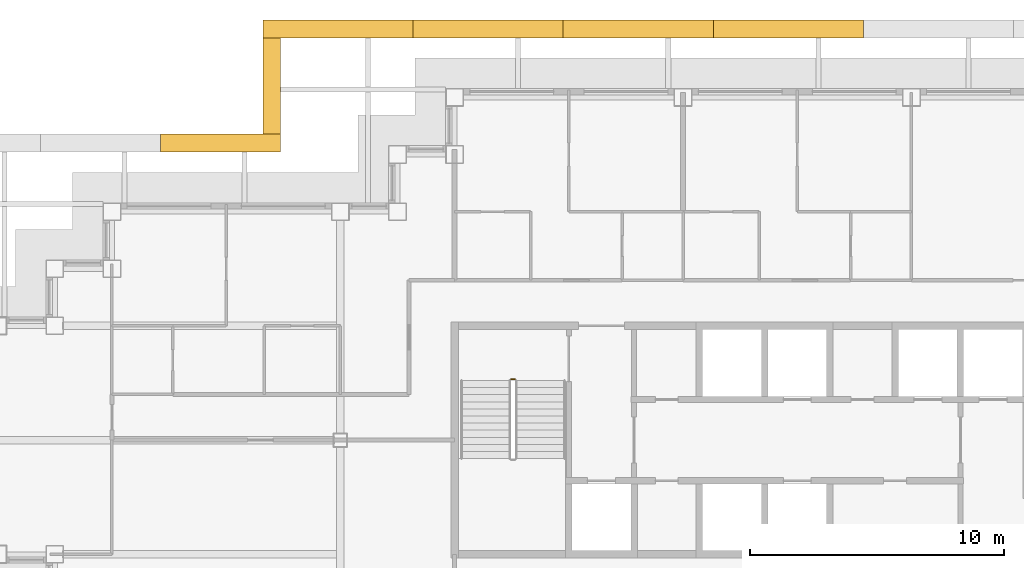
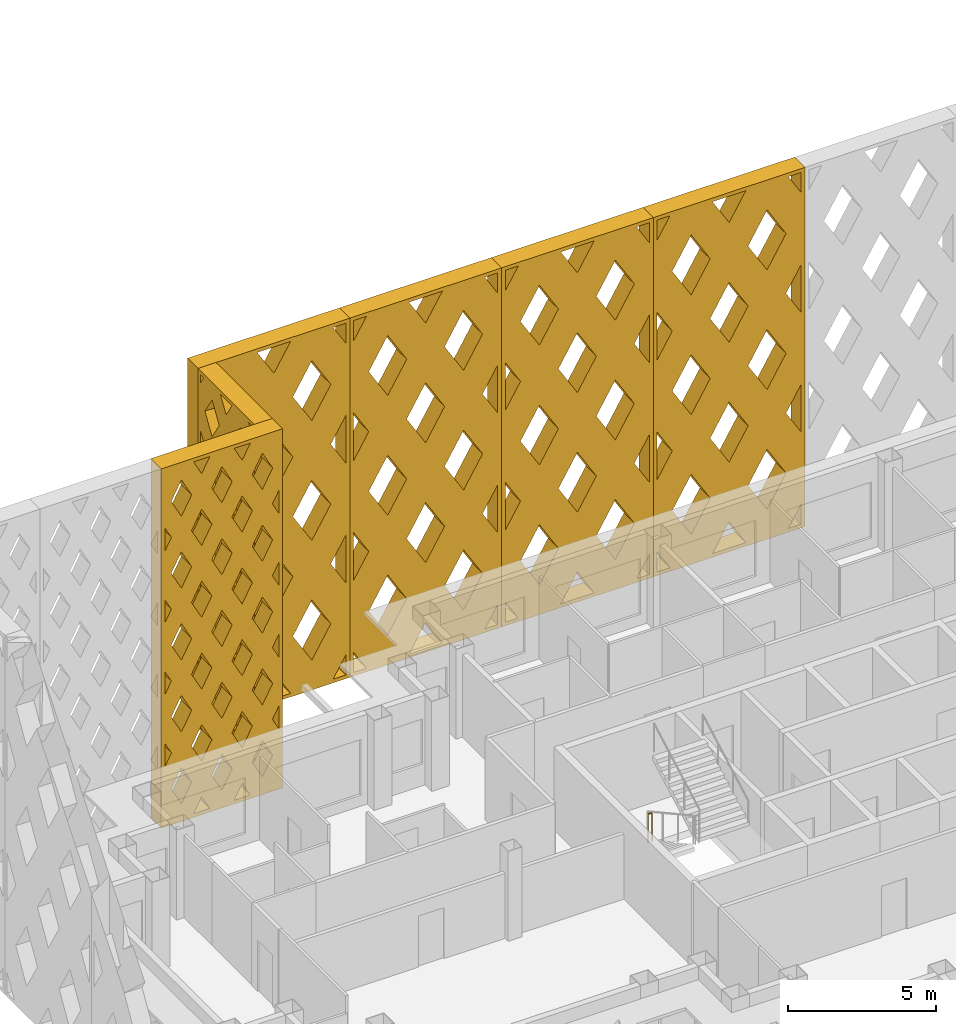
# One storey, part 15 of 16: 6 shading devices, 1 railing.
"""IFC4 building model written with IfcOpenShell, lengths in metres."""

from ifc_helpers import new_model, si_unit, direction, frame, origin, origin_2d, place, context, subcontext, project, spatial, polyline, circle, outline, extrude, material, type_object, element, save


model = new_model("IFC4")

# Units and contexts
model_context = context("Model", 3, precision=1e-05, world=origin(), true_north=direction((0.0, 1.0)))
body_context = subcontext(model_context, "Body", "Model", "MODEL_VIEW")
ifc_project = project(units=[si_unit("LENGTHUNIT", "METRE"), si_unit("AREAUNIT", "SQUARE_METRE"), si_unit("VOLUMEUNIT", "CUBIC_METRE"), si_unit("PLANEANGLEUNIT", "RADIAN"), si_unit("MASSUNIT", "GRAM", prefix="KILO")], contexts=[model_context])

# Site, building, storey
site_placement = place(None, origin())
site = spatial("IfcSite", under=ifc_project, at=site_placement, CompositionType="ELEMENT")
building_placement = place(site_placement, origin())
building = spatial("IfcBuilding", under=site, at=building_placement, Name="Caravel Reach Hotel and Residences", CompositionType="ELEMENT")
storey_placement = place(building_placement, frame((0.0, 0.0, 207.199951171875)))
storey = spatial("IfcBuildingStorey", under=building, at=storey_placement, Name="L52", CompositionType="ELEMENT", Elevation=207.199951171875)

# Shading devices
ifc_material_1 = material(Name="Black powder-coated aluminium", Category="aluminium")
shading_device_type_1 = type_object("IfcShadingDeviceType", Name="Diamond lattice screen panel 3800 x 14800", PredefinedType="USERDEFINED", material=ifc_material_1)
shading_device_1_placement = place(storey_placement, frame((11.14990234375, 42.85009765625, 0.0), z_axis=(-1.0, 0.0, 0.0), x_axis=(0.0, -1.0, 0.0)))
element("IfcShadingDevice", 1, at=shading_device_1_placement, inside=storey, type_object=shading_device_type_1, Name="Lattice screen L52-L55 5.1", ObjectType="SCREEN", PredefinedType="USERDEFINED", context=body_context, shape_type="SweptSolid", body=[
    extrude(outline(polyline([(0.0, 0.0), (3.800048828125, 0.0), (3.800048828125, 14.800048828125), (0.0, 14.800048828125), (0.0, 0.0)]), holes=[polyline([(0.389892578125, 0.14990234375), (0.14990234375, 0.523681640625), (0.14990234375, 0.14990234375), (0.389892578125, 0.14990234375)]), polyline([(0.486083984375, 2.9599609375), (0.14990234375, 3.483642578125), (0.14990234375, 2.436279296875), (0.486083984375, 2.9599609375)]), polyline([(0.486083984375, 5.919921875), (0.14990234375, 6.44384765625), (0.14990234375, 5.396240234375), (0.486083984375, 5.919921875)]), polyline([(0.486083984375, 8.8798828125), (0.14990234375, 9.40380859375), (0.14990234375, 8.356201171875), (0.486083984375, 8.8798828125)]), polyline([(0.486083984375, 11.840087890625), (0.14990234375, 12.36376953125), (0.14990234375, 11.316162109375), (0.486083984375, 11.840087890625)]), polyline([(0.14990234375, 14.2763671875), (0.389892578125, 14.64990234375), (0.14990234375, 14.64990234375), (0.14990234375, 14.2763671875)]), polyline([(0.949951171875, 2.237548828125), (0.4638671875, 1.47998046875), (0.949951171875, 0.72265625), (1.436279296875, 1.47998046875), (0.949951171875, 2.237548828125)]), polyline([(0.949951171875, 5.197509765625), (0.4638671875, 4.43994140625), (0.949951171875, 3.6826171875), (1.436279296875, 4.43994140625), (0.949951171875, 5.197509765625)]), polyline([(0.949951171875, 8.157470703125), (0.4638671875, 7.39990234375), (0.949951171875, 6.642578125), (1.436279296875, 7.39990234375), (0.949951171875, 8.157470703125)]), polyline([(0.949951171875, 11.117431640625), (0.4638671875, 10.360107421875), (0.949951171875, 9.6025390625), (1.436279296875, 10.360107421875), (0.949951171875, 11.117431640625)]), polyline([(0.949951171875, 14.077392578125), (0.4638671875, 13.320068359375), (0.949951171875, 12.5625), (1.436279296875, 13.320068359375), (0.949951171875, 14.077392578125)]), polyline([(1.89990234375, 0.75732421875), (1.510009765625, 0.14990234375), (2.289794921875, 0.14990234375), (1.89990234375, 0.75732421875)]), polyline([(1.89990234375, 3.717529296875), (1.413818359375, 2.9599609375), (1.89990234375, 2.20263671875), (2.38623046875, 2.9599609375), (1.89990234375, 3.717529296875)]), polyline([(1.89990234375, 6.677490234375), (1.413818359375, 5.919921875), (1.89990234375, 5.16259765625), (2.38623046875, 5.919921875), (1.89990234375, 6.677490234375)]), polyline([(1.89990234375, 9.637451171875), (1.413818359375, 8.8798828125), (1.89990234375, 8.12255859375), (2.38623046875, 8.8798828125), (1.89990234375, 9.637451171875)]), polyline([(1.89990234375, 12.597412109375), (1.413818359375, 11.840087890625), (1.89990234375, 11.08251953125), (2.38623046875, 11.840087890625), (1.89990234375, 12.597412109375)]), polyline([(1.89990234375, 14.04248046875), (2.289794921875, 14.64990234375), (1.510009765625, 14.64990234375), (1.89990234375, 14.04248046875)]), polyline([(2.85009765625, 2.237548828125), (2.36376953125, 1.47998046875), (2.85009765625, 0.72265625), (3.336181640625, 1.47998046875), (2.85009765625, 2.237548828125)]), polyline([(2.85009765625, 5.197509765625), (2.36376953125, 4.43994140625), (2.85009765625, 3.6826171875), (3.336181640625, 4.43994140625), (2.85009765625, 5.197509765625)]), polyline([(2.85009765625, 8.157470703125), (2.36376953125, 7.39990234375), (2.85009765625, 6.642578125), (3.336181640625, 7.39990234375), (2.85009765625, 8.157470703125)]), polyline([(2.85009765625, 11.117431640625), (2.36376953125, 10.360107421875), (2.85009765625, 9.6025390625), (3.336181640625, 10.360107421875), (2.85009765625, 11.117431640625)]), polyline([(2.85009765625, 14.077392578125), (2.36376953125, 13.320068359375), (2.85009765625, 12.5625), (3.336181640625, 13.320068359375), (2.85009765625, 14.077392578125)]), polyline([(3.64990234375, 0.523681640625), (3.41015625, 0.14990234375), (3.64990234375, 0.14990234375), (3.64990234375, 0.523681640625)]), polyline([(3.313720703125, 2.9599609375), (3.64990234375, 2.436279296875), (3.64990234375, 3.483642578125), (3.313720703125, 2.9599609375)]), polyline([(3.313720703125, 5.919921875), (3.64990234375, 5.396240234375), (3.64990234375, 6.44384765625), (3.313720703125, 5.919921875)]), polyline([(3.313720703125, 8.8798828125), (3.64990234375, 8.356201171875), (3.64990234375, 9.40380859375), (3.313720703125, 8.8798828125)]), polyline([(3.313720703125, 11.840087890625), (3.64990234375, 11.316162109375), (3.64990234375, 12.36376953125), (3.313720703125, 11.840087890625)]), polyline([(3.41015625, 14.64990234375), (3.64990234375, 14.2763671875), (3.64990234375, 14.64990234375), (3.41015625, 14.64990234375)])]), origin(), (0.0, 0.0, 1.0), 0.699951171875),
])
ifc_material_2 = material(Name="Black powder-coated aluminium", Category="aluminium")
shading_device_type_2 = type_object("IfcShadingDeviceType", Name="Diamond lattice screen panel 4733 x 14800", PredefinedType="USERDEFINED", material=ifc_material_2)
shading_device_2_placement = place(storey_placement, frame((11.14990234375, 38.35009765625, 0.0), z_axis=(0.0, 1.0, 0.0), x_axis=(-1.0, 0.0, 0.0)))
element("IfcShadingDevice", 2, at=shading_device_2_placement, inside=storey, type_object=shading_device_type_2, Name="Lattice screen L52-L55 6.1", ObjectType="SCREEN", PredefinedType="USERDEFINED", context=body_context, shape_type="SweptSolid", body=[
    extrude(outline(polyline([(0.0, 0.0), (4.7333984375, 0.0), (4.7333984375, 14.800048828125), (0.0, 14.800048828125), (0.0, 0.0)]), holes=[polyline([(0.398681640625, 2.9599609375), (0.14990234375, 3.4267578125), (0.14990234375, 2.493408203125), (0.398681640625, 2.9599609375)]), polyline([(0.398681640625, 5.919921875), (0.14990234375, 6.38671875), (0.14990234375, 5.453369140625), (0.398681640625, 5.919921875)]), polyline([(0.398681640625, 8.8798828125), (0.14990234375, 9.3466796875), (0.14990234375, 8.413330078125), (0.398681640625, 8.8798828125)]), polyline([(0.398681640625, 11.840087890625), (0.14990234375, 12.306640625), (0.14990234375, 11.373291015625), (0.398681640625, 11.840087890625)]), polyline([(0.788818359375, 2.22802734375), (0.39013671875, 1.47998046875), (0.788818359375, 0.73193359375), (1.187744140625, 1.47998046875), (0.788818359375, 2.22802734375)]), polyline([(0.788818359375, 5.18798828125), (0.39013671875, 4.43994140625), (0.788818359375, 3.69189453125), (1.187744140625, 4.43994140625), (0.788818359375, 5.18798828125)]), polyline([(0.788818359375, 8.14794921875), (0.39013671875, 7.39990234375), (0.788818359375, 6.65185546875), (1.187744140625, 7.39990234375), (0.788818359375, 8.14794921875)]), polyline([(0.788818359375, 11.108154296875), (0.39013671875, 10.360107421875), (0.788818359375, 9.612060546875), (1.187744140625, 10.360107421875), (0.788818359375, 11.108154296875)]), polyline([(0.788818359375, 14.068115234375), (0.39013671875, 13.320068359375), (0.788818359375, 12.572021484375), (1.187744140625, 13.320068359375), (0.788818359375, 14.068115234375)]), polyline([(1.577880859375, 0.748046875), (1.259033203125, 0.14990234375), (1.896484375, 0.14990234375), (1.577880859375, 0.748046875)]), polyline([(1.577880859375, 3.7080078125), (1.178955078125, 2.9599609375), (1.577880859375, 2.2119140625), (1.9765625, 2.9599609375), (1.577880859375, 3.7080078125)]), polyline([(1.577880859375, 6.66796875), (1.178955078125, 5.919921875), (1.577880859375, 5.171875), (1.9765625, 5.919921875), (1.577880859375, 6.66796875)]), polyline([(1.577880859375, 9.6279296875), (1.178955078125, 8.8798828125), (1.577880859375, 8.1318359375), (1.9765625, 8.8798828125), (1.577880859375, 9.6279296875)]), polyline([(1.577880859375, 12.588134765625), (1.178955078125, 11.840087890625), (1.577880859375, 11.092041015625), (1.9765625, 11.840087890625), (1.577880859375, 12.588134765625)]), polyline([(1.577880859375, 14.052001953125), (1.896484375, 14.64990234375), (1.259033203125, 14.64990234375), (1.577880859375, 14.052001953125)]), polyline([(2.36669921875, 2.22802734375), (1.968017578125, 1.47998046875), (2.36669921875, 0.73193359375), (2.765380859375, 1.47998046875), (2.36669921875, 2.22802734375)]), polyline([(2.36669921875, 5.18798828125), (1.968017578125, 4.43994140625), (2.36669921875, 3.69189453125), (2.765380859375, 4.43994140625), (2.36669921875, 5.18798828125)]), polyline([(2.36669921875, 8.14794921875), (1.968017578125, 7.39990234375), (2.36669921875, 6.65185546875), (2.765380859375, 7.39990234375), (2.36669921875, 8.14794921875)]), polyline([(2.36669921875, 11.108154296875), (1.968017578125, 10.360107421875), (2.36669921875, 9.612060546875), (2.765380859375, 10.360107421875), (2.36669921875, 11.108154296875)]), polyline([(2.36669921875, 14.068115234375), (1.968017578125, 13.320068359375), (2.36669921875, 12.572021484375), (2.765380859375, 13.320068359375), (2.36669921875, 14.068115234375)]), polyline([(3.155517578125, 0.748046875), (2.836669921875, 0.14990234375), (3.474365234375, 0.14990234375), (3.155517578125, 0.748046875)]), polyline([(3.155517578125, 3.7080078125), (2.7568359375, 2.9599609375), (3.155517578125, 2.2119140625), (3.55419921875, 2.9599609375), (3.155517578125, 3.7080078125)]), polyline([(3.155517578125, 6.66796875), (2.7568359375, 5.919921875), (3.155517578125, 5.171875), (3.55419921875, 5.919921875), (3.155517578125, 6.66796875)]), polyline([(3.155517578125, 9.6279296875), (2.7568359375, 8.8798828125), (3.155517578125, 8.1318359375), (3.55419921875, 8.8798828125), (3.155517578125, 9.6279296875)]), polyline([(3.155517578125, 12.588134765625), (2.7568359375, 11.840087890625), (3.155517578125, 11.092041015625), (3.55419921875, 11.840087890625), (3.155517578125, 12.588134765625)]), polyline([(3.155517578125, 14.052001953125), (3.474365234375, 14.64990234375), (2.836669921875, 14.64990234375), (3.155517578125, 14.052001953125)]), polyline([(3.9443359375, 2.22802734375), (3.545654296875, 1.47998046875), (3.9443359375, 0.73193359375), (4.34326171875, 1.47998046875), (3.9443359375, 2.22802734375)]), polyline([(3.9443359375, 5.18798828125), (3.545654296875, 4.43994140625), (3.9443359375, 3.69189453125), (4.34326171875, 4.43994140625), (3.9443359375, 5.18798828125)]), polyline([(3.9443359375, 8.14794921875), (3.545654296875, 7.39990234375), (3.9443359375, 6.65185546875), (4.34326171875, 7.39990234375), (3.9443359375, 8.14794921875)]), polyline([(3.9443359375, 11.108154296875), (3.545654296875, 10.360107421875), (3.9443359375, 9.612060546875), (4.34326171875, 10.360107421875), (3.9443359375, 11.108154296875)]), polyline([(3.9443359375, 14.068115234375), (3.545654296875, 13.320068359375), (3.9443359375, 12.572021484375), (4.34326171875, 13.320068359375), (3.9443359375, 14.068115234375)]), polyline([(4.334716796875, 2.9599609375), (4.583251953125, 2.493408203125), (4.583251953125, 3.4267578125), (4.334716796875, 2.9599609375)]), polyline([(4.334716796875, 5.919921875), (4.583251953125, 5.453369140625), (4.583251953125, 6.38671875), (4.334716796875, 5.919921875)]), polyline([(4.334716796875, 8.8798828125), (4.583251953125, 8.413330078125), (4.583251953125, 9.3466796875), (4.334716796875, 8.8798828125)]), polyline([(4.334716796875, 11.840087890625), (4.583251953125, 11.373291015625), (4.583251953125, 12.306640625), (4.334716796875, 11.840087890625)])]), origin(), (0.0, 0.0, 1.0), 0.699951171875),
])
ifc_material_3 = material(Name="Black powder-coated aluminium", Category="aluminium")
shading_device_type_3 = type_object("IfcShadingDeviceType", Name="Diamond lattice screen panel 5914 x 14800", PredefinedType="USERDEFINED", material=ifc_material_3)
shading_device_3_placement = place(storey_placement, frame((34.107177734375, 42.85009765625, 0.0), z_axis=(0.0, 1.0, 0.0), x_axis=(-1.0, 0.0, 0.0)))
element("IfcShadingDevice", 3, at=shading_device_3_placement, inside=storey, type_object=shading_device_type_3, Name="Lattice screen L52-L55 4.4", ObjectType="SCREEN", PredefinedType="USERDEFINED", context=body_context, shape_type="SweptSolid", body=[
    extrude(outline(polyline([(0.0, 0.0), (5.914306640625, 0.0), (5.914306640625, 14.800048828125), (0.0, 14.800048828125), (0.0, 0.0)]), holes=[polyline([(0.6513671875, 0.14990234375), (0.14990234375, 0.986572265625), (0.14990234375, 0.14990234375), (0.6513671875, 0.14990234375)]), polyline([(0.7412109375, 4.933349609375), (0.14990234375, 5.919921875), (0.14990234375, 3.94677734375), (0.7412109375, 4.933349609375)]), polyline([(0.7412109375, 9.86669921875), (0.14990234375, 10.853271484375), (0.14990234375, 8.880126953125), (0.7412109375, 9.86669921875)]), polyline([(0.14990234375, 13.8134765625), (0.6513671875, 14.64990234375), (0.14990234375, 14.64990234375), (0.14990234375, 13.8134765625)]), polyline([(1.478515625, 3.703369140625), (0.7373046875, 2.466552734375), (1.478515625, 1.22998046875), (2.219970703125, 2.466552734375), (1.478515625, 3.703369140625)]), polyline([(1.478515625, 8.63671875), (0.7373046875, 7.39990234375), (1.478515625, 6.163330078125), (2.219970703125, 7.39990234375), (1.478515625, 8.63671875)]), polyline([(1.478515625, 13.570068359375), (0.7373046875, 12.333251953125), (1.478515625, 11.0966796875), (2.219970703125, 12.333251953125), (1.478515625, 13.570068359375)]), polyline([(2.95703125, 1.23681640625), (2.3056640625, 0.14990234375), (3.608642578125, 0.14990234375), (2.95703125, 1.23681640625)]), polyline([(2.95703125, 6.170166015625), (2.2158203125, 4.933349609375), (2.95703125, 3.696533203125), (3.698486328125, 4.933349609375), (2.95703125, 6.170166015625)]), polyline([(2.95703125, 11.103515625), (2.2158203125, 9.86669921875), (2.95703125, 8.6298828125), (3.698486328125, 9.86669921875), (2.95703125, 11.103515625)]), polyline([(2.95703125, 13.563232421875), (3.608642578125, 14.64990234375), (2.3056640625, 14.64990234375), (2.95703125, 13.563232421875)]), polyline([(4.435791015625, 3.703369140625), (3.6943359375, 2.466552734375), (4.435791015625, 1.22998046875), (5.177001953125, 2.466552734375), (4.435791015625, 3.703369140625)]), polyline([(4.435791015625, 8.63671875), (3.6943359375, 7.39990234375), (4.435791015625, 6.163330078125), (5.177001953125, 7.39990234375), (4.435791015625, 8.63671875)]), polyline([(4.435791015625, 13.570068359375), (3.6943359375, 12.333251953125), (4.435791015625, 11.0966796875), (5.177001953125, 12.333251953125), (4.435791015625, 13.570068359375)]), polyline([(5.764404296875, 0.986572265625), (5.262939453125, 0.14990234375), (5.764404296875, 0.14990234375), (5.764404296875, 0.986572265625)]), polyline([(5.1728515625, 4.933349609375), (5.764404296875, 3.94677734375), (5.764404296875, 5.919921875), (5.1728515625, 4.933349609375)]), polyline([(5.1728515625, 9.86669921875), (5.764404296875, 8.880126953125), (5.764404296875, 10.853271484375), (5.1728515625, 9.86669921875)]), polyline([(5.262939453125, 14.64990234375), (5.764404296875, 13.8134765625), (5.764404296875, 14.64990234375), (5.262939453125, 14.64990234375)])]), origin(), (0.0, 0.0, 1.0), 0.699951171875),
])
shading_device_4_placement = place(storey_placement, frame((28.19287109375, 42.85009765625, 0.0), z_axis=(0.0, 1.0, 0.0), x_axis=(-1.0, 0.0, 0.0)))
element("IfcShadingDevice", 4, at=shading_device_4_placement, inside=storey, type_object=shading_device_type_3, Name="Lattice screen L52-L55 4.5", ObjectType="SCREEN", PredefinedType="USERDEFINED", context=body_context, shape_type="SweptSolid", body=[
    extrude(outline(polyline([(0.0, 0.0), (5.914306640625, 0.0), (5.914306640625, 14.800048828125), (0.0, 14.800048828125), (0.0, 0.0)]), holes=[polyline([(0.6513671875, 0.14990234375), (0.14990234375, 0.986572265625), (0.14990234375, 0.14990234375), (0.6513671875, 0.14990234375)]), polyline([(0.7412109375, 4.933349609375), (0.14990234375, 5.919921875), (0.14990234375, 3.94677734375), (0.7412109375, 4.933349609375)]), polyline([(0.7412109375, 9.86669921875), (0.14990234375, 10.853271484375), (0.14990234375, 8.880126953125), (0.7412109375, 9.86669921875)]), polyline([(0.14990234375, 13.8134765625), (0.6513671875, 14.64990234375), (0.14990234375, 14.64990234375), (0.14990234375, 13.8134765625)]), polyline([(1.478515625, 3.703369140625), (0.7373046875, 2.466552734375), (1.478515625, 1.22998046875), (2.219970703125, 2.466552734375), (1.478515625, 3.703369140625)]), polyline([(1.478515625, 8.63671875), (0.7373046875, 7.39990234375), (1.478515625, 6.163330078125), (2.219970703125, 7.39990234375), (1.478515625, 8.63671875)]), polyline([(1.478515625, 13.570068359375), (0.7373046875, 12.333251953125), (1.478515625, 11.0966796875), (2.219970703125, 12.333251953125), (1.478515625, 13.570068359375)]), polyline([(2.95703125, 1.23681640625), (2.3056640625, 0.14990234375), (3.608642578125, 0.14990234375), (2.95703125, 1.23681640625)]), polyline([(2.95703125, 6.170166015625), (2.2158203125, 4.933349609375), (2.95703125, 3.696533203125), (3.698486328125, 4.933349609375), (2.95703125, 6.170166015625)]), polyline([(2.95703125, 11.103515625), (2.2158203125, 9.86669921875), (2.95703125, 8.6298828125), (3.698486328125, 9.86669921875), (2.95703125, 11.103515625)]), polyline([(2.95703125, 13.563232421875), (3.608642578125, 14.64990234375), (2.3056640625, 14.64990234375), (2.95703125, 13.563232421875)]), polyline([(4.435791015625, 3.703369140625), (3.6943359375, 2.466552734375), (4.435791015625, 1.22998046875), (5.177001953125, 2.466552734375), (4.435791015625, 3.703369140625)]), polyline([(4.435791015625, 8.63671875), (3.6943359375, 7.39990234375), (4.435791015625, 6.163330078125), (5.177001953125, 7.39990234375), (4.435791015625, 8.63671875)]), polyline([(4.435791015625, 13.570068359375), (3.6943359375, 12.333251953125), (4.435791015625, 11.0966796875), (5.177001953125, 12.333251953125), (4.435791015625, 13.570068359375)]), polyline([(5.764404296875, 0.986572265625), (5.262939453125, 0.14990234375), (5.764404296875, 0.14990234375), (5.764404296875, 0.986572265625)]), polyline([(5.1728515625, 4.933349609375), (5.764404296875, 3.94677734375), (5.764404296875, 5.919921875), (5.1728515625, 4.933349609375)]), polyline([(5.1728515625, 9.86669921875), (5.764404296875, 8.880126953125), (5.764404296875, 10.853271484375), (5.1728515625, 9.86669921875)]), polyline([(5.262939453125, 14.64990234375), (5.764404296875, 13.8134765625), (5.764404296875, 14.64990234375), (5.262939453125, 14.64990234375)])]), origin(), (0.0, 0.0, 1.0), 0.699951171875),
])
shading_device_5_placement = place(storey_placement, frame((22.278564453125, 42.85009765625, 0.0), z_axis=(0.0, 1.0, 0.0), x_axis=(-1.0, 0.0, 0.0)))
element("IfcShadingDevice", 5, at=shading_device_5_placement, inside=storey, type_object=shading_device_type_3, Name="Lattice screen L52-L55 4.6", ObjectType="SCREEN", PredefinedType="USERDEFINED", context=body_context, shape_type="SweptSolid", body=[
    extrude(outline(polyline([(0.0, 0.0), (5.914306640625, 0.0), (5.914306640625, 14.800048828125), (0.0, 14.800048828125), (0.0, 0.0)]), holes=[polyline([(0.6513671875, 0.14990234375), (0.14990234375, 0.986572265625), (0.14990234375, 0.14990234375), (0.6513671875, 0.14990234375)]), polyline([(0.7412109375, 4.933349609375), (0.14990234375, 5.919921875), (0.14990234375, 3.94677734375), (0.7412109375, 4.933349609375)]), polyline([(0.7412109375, 9.86669921875), (0.14990234375, 10.853271484375), (0.14990234375, 8.880126953125), (0.7412109375, 9.86669921875)]), polyline([(0.14990234375, 13.8134765625), (0.6513671875, 14.64990234375), (0.14990234375, 14.64990234375), (0.14990234375, 13.8134765625)]), polyline([(1.478515625, 3.703369140625), (0.7373046875, 2.466552734375), (1.478515625, 1.22998046875), (2.219970703125, 2.466552734375), (1.478515625, 3.703369140625)]), polyline([(1.478515625, 8.63671875), (0.7373046875, 7.39990234375), (1.478515625, 6.163330078125), (2.219970703125, 7.39990234375), (1.478515625, 8.63671875)]), polyline([(1.478515625, 13.570068359375), (0.7373046875, 12.333251953125), (1.478515625, 11.0966796875), (2.219970703125, 12.333251953125), (1.478515625, 13.570068359375)]), polyline([(2.95703125, 1.23681640625), (2.3056640625, 0.14990234375), (3.608642578125, 0.14990234375), (2.95703125, 1.23681640625)]), polyline([(2.95703125, 6.170166015625), (2.2158203125, 4.933349609375), (2.95703125, 3.696533203125), (3.698486328125, 4.933349609375), (2.95703125, 6.170166015625)]), polyline([(2.95703125, 11.103515625), (2.2158203125, 9.86669921875), (2.95703125, 8.6298828125), (3.698486328125, 9.86669921875), (2.95703125, 11.103515625)]), polyline([(2.95703125, 13.563232421875), (3.608642578125, 14.64990234375), (2.3056640625, 14.64990234375), (2.95703125, 13.563232421875)]), polyline([(4.435791015625, 3.703369140625), (3.6943359375, 2.466552734375), (4.435791015625, 1.22998046875), (5.177001953125, 2.466552734375), (4.435791015625, 3.703369140625)]), polyline([(4.435791015625, 8.63671875), (3.6943359375, 7.39990234375), (4.435791015625, 6.163330078125), (5.177001953125, 7.39990234375), (4.435791015625, 8.63671875)]), polyline([(4.435791015625, 13.570068359375), (3.6943359375, 12.333251953125), (4.435791015625, 11.0966796875), (5.177001953125, 12.333251953125), (4.435791015625, 13.570068359375)]), polyline([(5.764404296875, 0.986572265625), (5.262939453125, 0.14990234375), (5.764404296875, 0.14990234375), (5.764404296875, 0.986572265625)]), polyline([(5.1728515625, 4.933349609375), (5.764404296875, 3.94677734375), (5.764404296875, 5.919921875), (5.1728515625, 4.933349609375)]), polyline([(5.1728515625, 9.86669921875), (5.764404296875, 8.880126953125), (5.764404296875, 10.853271484375), (5.1728515625, 9.86669921875)]), polyline([(5.262939453125, 14.64990234375), (5.764404296875, 13.8134765625), (5.764404296875, 14.64990234375), (5.262939453125, 14.64990234375)])]), origin(), (0.0, 0.0, 1.0), 0.699951171875),
])
shading_device_6_placement = place(storey_placement, frame((16.3642578125, 42.85009765625, 0.0), z_axis=(0.0, 1.0, 0.0), x_axis=(-1.0, 0.0, 0.0)))
element("IfcShadingDevice", 6, at=shading_device_6_placement, inside=storey, type_object=shading_device_type_3, Name="Lattice screen L52-L55 4.7", ObjectType="SCREEN", PredefinedType="USERDEFINED", context=body_context, shape_type="SweptSolid", body=[
    extrude(outline(polyline([(0.0, 0.0), (5.914306640625, 0.0), (5.914306640625, 14.800048828125), (0.0, 14.800048828125), (0.0, 0.0)]), holes=[polyline([(0.6513671875, 0.14990234375), (0.14990234375, 0.986572265625), (0.14990234375, 0.14990234375), (0.6513671875, 0.14990234375)]), polyline([(0.7412109375, 4.933349609375), (0.14990234375, 5.919921875), (0.14990234375, 3.94677734375), (0.7412109375, 4.933349609375)]), polyline([(0.7412109375, 9.86669921875), (0.14990234375, 10.853271484375), (0.14990234375, 8.880126953125), (0.7412109375, 9.86669921875)]), polyline([(0.14990234375, 13.8134765625), (0.6513671875, 14.64990234375), (0.14990234375, 14.64990234375), (0.14990234375, 13.8134765625)]), polyline([(1.478515625, 3.703369140625), (0.7373046875, 2.466552734375), (1.478515625, 1.22998046875), (2.219970703125, 2.466552734375), (1.478515625, 3.703369140625)]), polyline([(1.478515625, 8.63671875), (0.7373046875, 7.39990234375), (1.478515625, 6.163330078125), (2.219970703125, 7.39990234375), (1.478515625, 8.63671875)]), polyline([(1.478515625, 13.570068359375), (0.7373046875, 12.333251953125), (1.478515625, 11.0966796875), (2.219970703125, 12.333251953125), (1.478515625, 13.570068359375)]), polyline([(2.95703125, 1.23681640625), (2.3056640625, 0.14990234375), (3.608642578125, 0.14990234375), (2.95703125, 1.23681640625)]), polyline([(2.95703125, 6.170166015625), (2.2158203125, 4.933349609375), (2.95703125, 3.696533203125), (3.698486328125, 4.933349609375), (2.95703125, 6.170166015625)]), polyline([(2.95703125, 11.103515625), (2.2158203125, 9.86669921875), (2.95703125, 8.6298828125), (3.698486328125, 9.86669921875), (2.95703125, 11.103515625)]), polyline([(2.95703125, 13.563232421875), (3.608642578125, 14.64990234375), (2.3056640625, 14.64990234375), (2.95703125, 13.563232421875)]), polyline([(4.435791015625, 3.703369140625), (3.6943359375, 2.466552734375), (4.435791015625, 1.22998046875), (5.177001953125, 2.466552734375), (4.435791015625, 3.703369140625)]), polyline([(4.435791015625, 8.63671875), (3.6943359375, 7.39990234375), (4.435791015625, 6.163330078125), (5.177001953125, 7.39990234375), (4.435791015625, 8.63671875)]), polyline([(4.435791015625, 13.570068359375), (3.6943359375, 12.333251953125), (4.435791015625, 11.0966796875), (5.177001953125, 12.333251953125), (4.435791015625, 13.570068359375)]), polyline([(5.764404296875, 0.986572265625), (5.262939453125, 0.14990234375), (5.764404296875, 0.14990234375), (5.764404296875, 0.986572265625)]), polyline([(5.1728515625, 4.933349609375), (5.764404296875, 3.94677734375), (5.764404296875, 5.919921875), (5.1728515625, 4.933349609375)]), polyline([(5.1728515625, 9.86669921875), (5.764404296875, 8.880126953125), (5.764404296875, 10.853271484375), (5.1728515625, 9.86669921875)]), polyline([(5.262939453125, 14.64990234375), (5.764404296875, 13.8134765625), (5.764404296875, 14.64990234375), (5.262939453125, 14.64990234375)])]), origin(), (0.0, 0.0, 1.0), 0.699951171875),
])

# Railing
ifc_material_4 = material(Name="Steel balustrade with glass infill", Category="steel")
railing_type = type_object("IfcRailingType", Name="Guard 1200", PredefinedType="GUARDRAIL", material=ifc_material_4)
railing_placement = place(storey_placement, frame((20.22509765625, 29.39990234375, 0.0)))
element("IfcRailing", 7, at=railing_placement, inside=storey, type_object=railing_type, Name="L52 ST-A stair guard 4", PredefinedType="GUARDRAIL", context=body_context, shape_type="SweptSolid", body=[
    extrude(circle(Radius=0.02392578125, at=origin_2d()), frame((0.0, 0.0, 1.17578125), z_axis=(1.0, 0.0, 0.0), x_axis=(0.0, 1.0, 0.0)), (0.0, 0.0, 1.0), 0.14990234375),
    extrude(circle(Radius=0.02099609375, at=origin_2d()), origin(), (0.0, 0.0, 1.0), 1.15185546875),
    extrude(circle(Radius=0.02099609375, at=origin_2d()), frame((0.14990234375, 0.0, 0.0)), (0.0, 0.0, 1.0), 1.15185546875),
])

save(model, "model.ifc")
